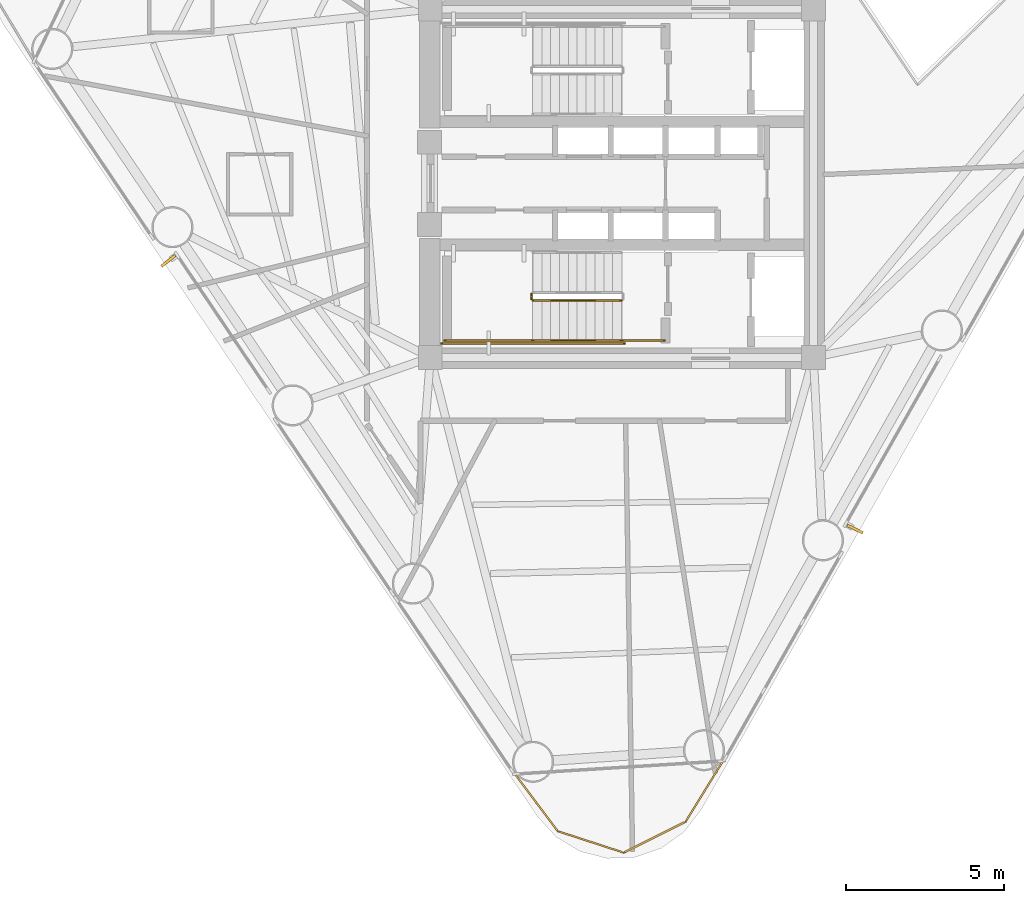
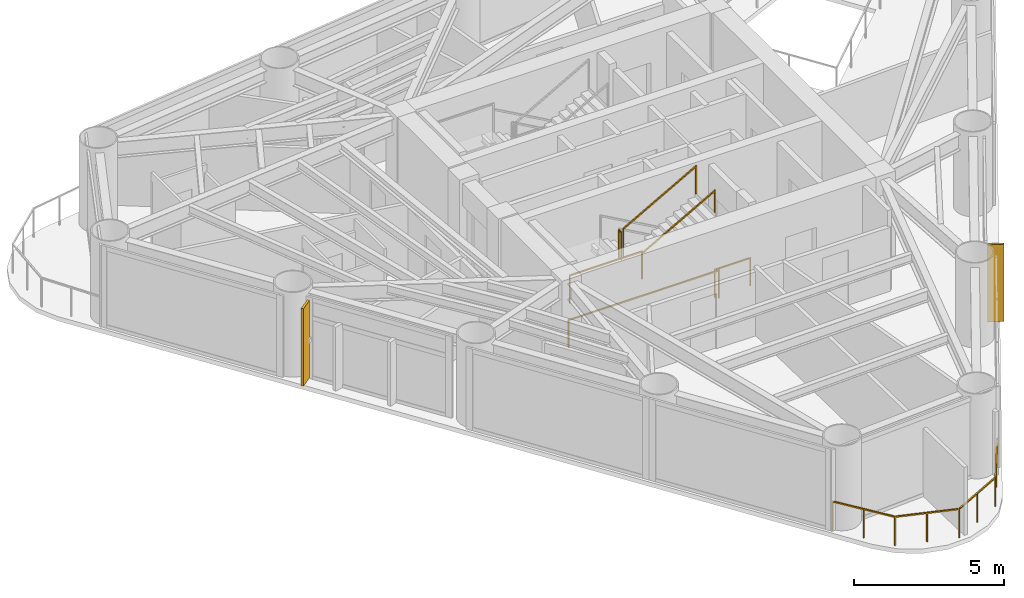
# One storey, part 7 of 9: 7 railings, 2 shading devices.
"""IFC4 building model written with IfcOpenShell, lengths in metres."""

from ifc_helpers import new_model, si_unit, direction, frame, origin, origin_2d, place, context, subcontext, project, spatial, rectangle, extrude, source, transform, mapped, material, material_profile, profile_set, type_object, element, save


model = new_model("IFC4")

# Units and contexts
model_context = context("Model", 3, precision=1e-05, world=origin(), true_north=direction((0.0, 1.0)))
body_context = subcontext(model_context, "Body", "Model", "MODEL_VIEW")
ifc_project = project(units=[si_unit("LENGTHUNIT", "METRE"), si_unit("AREAUNIT", "SQUARE_METRE"), si_unit("VOLUMEUNIT", "CUBIC_METRE"), si_unit("PLANEANGLEUNIT", "RADIAN"), si_unit("MASSUNIT", "GRAM", prefix="KILO")], contexts=[model_context])

# Site, building, storey
site_placement = place(None, origin())
site = spatial("IfcSite", under=ifc_project, at=site_placement, CompositionType="ELEMENT")
building_placement = place(site_placement, origin())
building = spatial("IfcBuilding", under=site, at=building_placement, Name="Yunling Apex Tower", CompositionType="ELEMENT")
storey_placement = place(building_placement, frame((0.0, 0.0, 165.64990234375)))
storey = spatial("IfcBuildingStorey", under=building, at=storey_placement, Name="L40", CompositionType="ELEMENT", Elevation=165.64990234375)

# Railings
ifc_material_1 = material(Name="Bronze anodised aluminium", Category="aluminium")
railing_type_1 = type_object("IfcRailingType", Name="RL-BAL-1200", PredefinedType="BALUSTRADE", material=ifc_material_1)
railing_1_placement = place(storey_placement, frame((3.195068359375, -18.248046875, 0.0)))
element("IfcRailing", 1, at=railing_1_placement, inside=storey, type_object=railing_type_1, Name="RL-CRNSILL-L40-3", PredefinedType="BALUSTRADE", context=body_context, shape_type="SweptSolid", body=[
    extrude(rectangle(XDim=0.0439453125, YDim=0.0439453125, at=origin_2d()), origin(), (0.0, 0.0, 1.0), 1.199951171875),
    extrude(rectangle(XDim=0.0439453125, YDim=0.0439453125, at=origin_2d()), frame((-1.182861328125, -1.91845703125, 0.0)), (0.0, 0.0, 1.0), 1.199951171875),
    extrude(rectangle(XDim=0.050048828125, YDim=0.050048828125, at=origin_2d()), frame((-0.02001953125, -0.03271484375, 1.1748046875), z_axis=(-0.524828533939, -0.851207971041, 0.0), x_axis=(0.851207971041, -0.524828533939, 0.0)), (0.0, 0.0, 1.0), 2.17724609375),
    extrude(rectangle(XDim=0.0439453125, YDim=0.0439453125, at=origin_2d()), frame((-0.59130859375, -0.959228515625, 0.0)), (0.0, 0.0, 1.0), 1.14599609375),
    extrude(rectangle(XDim=0.0439453125, YDim=0.0439453125, at=origin_2d()), frame((-3.1376953125, -2.895751953125, 0.0)), (0.0, 0.0, 1.0), 1.199951171875),
    extrude(rectangle(XDim=0.050048828125, YDim=0.050048828125, at=origin_2d()), frame((-1.217041015625, -1.935546875, 1.1748046875), z_axis=(-0.894449531573, -0.447168911563, 0.0), x_axis=(0.447168911563, -0.894449531573, 0.0)), (0.0, 0.0, 1.0), 2.10888671875),
    extrude(rectangle(XDim=0.0439453125, YDim=0.0439453125, at=origin_2d()), frame((-2.16015625, -2.4072265625, 0.0)), (0.0, 0.0, 1.0), 1.14599609375),
    extrude(rectangle(XDim=0.0439453125, YDim=0.0439453125, at=origin_2d()), frame((-5.22265625, -2.216552734375, 0.0)), (0.0, 0.0, 1.0), 1.199951171875),
    extrude(rectangle(XDim=0.050048828125, YDim=0.050048828125, at=origin_2d()), frame((-3.174072265625, -2.8837890625, 1.1748046875), z_axis=(-0.950821112954, 0.309740554595, 0.0), x_axis=(-0.309740554595, -0.950821112954, 0.0)), (0.0, 0.0, 1.0), 2.1162109375),
    extrude(rectangle(XDim=0.0439453125, YDim=0.0439453125, at=origin_2d()), frame((-4.18017578125, -2.55615234375, 0.0)), (0.0, 0.0, 1.0), 1.14599609375),
    extrude(rectangle(XDim=0.0439453125, YDim=0.0439453125, at=origin_2d()), frame((-6.572021484375, -0.412841796875, 0.0)), (0.0, 0.0, 1.0), 1.199951171875),
    extrude(rectangle(XDim=0.050048828125, YDim=0.050048828125, at=origin_2d()), frame((-5.24560546875, -2.185791015625, 1.1748046875), z_axis=(-0.599028453381, 0.800727739023, 0.0), x_axis=(-0.800727739023, -0.599028453381, 0.0)), (0.0, 0.0, 1.0), 2.176025390625),
    extrude(rectangle(XDim=0.0439453125, YDim=0.0439453125, at=origin_2d()), frame((-5.8974609375, -1.314697265625, 0.0)), (0.0, 0.0, 1.0), 1.14599609375),
])
ifc_material_2 = material(Name="Steel Q355B", Category="steel")
railing_type_2 = type_object("IfcRailingType", Name="RL-GRD-1150", PredefinedType="GUARDRAIL", material=ifc_material_2)
railing_2_placement = place(storey_placement, frame((-2.860107421875, -3.5, 1.72509765625)))
element("IfcRailing", 2, at=railing_2_placement, inside=storey, type_object=railing_type_2, Name="L40 ST-2 stair guard 2", PredefinedType="GUARDRAIL", context=body_context, shape_type="SweptSolid", body=[
    extrude(rectangle(XDim=0.0439453125, YDim=0.0439453125, at=origin_2d()), origin(), (0.0, 0.0, 1.0), 1.14990234375),
    extrude(rectangle(XDim=0.0439453125, YDim=0.0439453125, at=origin_2d()), frame((0.0, -0.14990234375, 0.0)), (0.0, 0.0, 1.0), 1.14990234375),
    extrude(rectangle(XDim=0.050048828125, YDim=0.050048828125, at=origin_2d()), frame((0.0, -0.038330078125, 1.125), z_axis=(0.0, -1.0, 0.0), x_axis=(1.0, 0.0, 0.0)), (0.0, 0.0, 1.0), 0.0732421875),
])
railing_3_placement = place(storey_placement, frame((-2.81005859375, -4.9599609375, 1.72509765625)))
element("IfcRailing", 3, at=railing_3_placement, inside=storey, type_object=railing_type_2, Name="L40 ST-2 stair guard 3", PredefinedType="GUARDRAIL", context=body_context, shape_type="SweptSolid", body=[
    extrude(rectangle(XDim=0.0439453125, YDim=0.0439453125, at=origin_2d()), origin(), (0.0, 0.0, 1.0), 1.14990234375),
    extrude(rectangle(XDim=0.0439453125, YDim=0.0439453125, at=origin_2d()), frame((-2.7900390625, 0.0, 0.0)), (0.0, 0.0, 1.0), 1.14990234375),
    extrude(rectangle(XDim=0.050048828125, YDim=0.050048828125, at=origin_2d()), frame((-0.038330078125, 0.0, 1.125), z_axis=(-1.0, 0.0, 0.0), x_axis=(0.0, -1.0, 0.0)), (0.0, 0.0, 1.0), 2.71337890625),
])
railing_4_placement = place(storey_placement, frame((-2.81005859375, -3.699951171875, 1.8818359375)))
element("IfcRailing", 4, at=railing_4_placement, inside=storey, type_object=railing_type_2, Name="L40 ST-2 stair guard 4", PredefinedType="GUARDRAIL", context=body_context, shape_type="SweptSolid", body=[
    extrude(rectangle(XDim=0.0439453125, YDim=0.0439453125, at=origin_2d()), origin(), (0.0, 0.0, 1.0), 1.14990234375),
    extrude(rectangle(XDim=0.0439453125, YDim=0.0439453125, at=origin_2d()), frame((2.800048828125, 0.0, 1.568359375)), (0.0, 0.0, 1.0), 1.14990234375),
    extrude(rectangle(XDim=0.050048828125, YDim=0.050048828125, at=origin_2d()), frame((0.033447265625, 0.0, 1.1435546875), z_axis=(0.872461907711, 0.0, 0.488682125306), x_axis=(0.0, 1.0, 0.0)), (0.0, 0.0, 1.0), 3.1328125),
])
railing_5_placement = place(storey_placement, frame((1.35009765625, -4.9599609375, 0.0)))
element("IfcRailing", 5, at=railing_5_placement, inside=storey, type_object=railing_type_2, Name="L40 ST-2 stair guard 6", PredefinedType="GUARDRAIL", context=body_context, shape_type="SweptSolid", body=[
    extrude(rectangle(XDim=0.0439453125, YDim=0.0439453125, at=origin_2d()), origin(), (0.0, 0.0, 1.0), 1.14990234375),
    extrude(rectangle(XDim=0.0439453125, YDim=0.0439453125, at=origin_2d()), frame((-1.360107421875, 0.0, 0.0)), (0.0, 0.0, 1.0), 1.14990234375),
    extrude(rectangle(XDim=0.050048828125, YDim=0.050048828125, at=origin_2d()), frame((-0.038330078125, 0.0, 1.125), z_axis=(-1.0, 0.0, 0.0), x_axis=(0.0, -1.0, 0.0)), (0.0, 0.0, 1.0), 1.283447265625),
])
railing_6_placement = place(storey_placement, frame((0.090087890625, -5.06005859375, 0.0)))
element("IfcRailing", 6, at=railing_6_placement, inside=storey, type_object=railing_type_2, Name="L40 ST-2 stair guard 7", PredefinedType="GUARDRAIL", context=body_context, shape_type="SweptSolid", body=[
    extrude(rectangle(XDim=0.0439453125, YDim=0.0439453125, at=origin_2d()), origin(), (0.0, 0.0, 1.0), 1.14990234375),
    extrude(rectangle(XDim=0.0439453125, YDim=0.0439453125, at=origin_2d()), frame((-5.7900390625, 0.0, 0.0)), (0.0, 0.0, 1.0), 1.14990234375),
    extrude(rectangle(XDim=0.050048828125, YDim=0.050048828125, at=origin_2d()), frame((-0.038330078125, 0.0, 1.125), z_axis=(-1.0, 0.0, 0.0), x_axis=(0.0, -1.0, 0.0)), (0.0, 0.0, 1.0), 5.71337890625),
])
ifc_material_3 = material(Name="Silver anodised aluminium", Category="aluminium")
railing_type_3 = type_object("IfcRailingType", Name="RL-HND-900", PredefinedType="HANDRAIL", material=ifc_material_3)
railing_7_placement = place(storey_placement, frame((-2.81005859375, -4.9599609375, 1.8818359375)))
element("IfcRailing", 7, at=railing_7_placement, inside=storey, type_object=railing_type_3, Name="L40 ST-2 stair handrail 2", PredefinedType="HANDRAIL", context=body_context, shape_type="SweptSolid", body=[
    extrude(rectangle(XDim=0.0439453125, YDim=0.0439453125, at=origin_2d()), origin(), (0.0, 0.0, 1.0), 0.919921875),
    extrude(rectangle(XDim=0.0439453125, YDim=0.0439453125, at=origin_2d()), frame((2.800048828125, 0.0, 1.568359375)), (0.0, 0.0, 1.0), 0.919921875),
    extrude(rectangle(XDim=0.050048828125, YDim=0.050048828125, at=origin_2d()), frame((0.033447265625, 0.0, 0.91357421875), z_axis=(0.872461907711, 0.0, 0.488682125306), x_axis=(0.0, 1.0, 0.0)), (0.0, 0.0, 1.0), 3.1328125),
])

# Shading devices
ifc_material_profile = material_profile(ifc_material_1, rectangle(XDim=0.0849609375, YDim=0.550048828125, at=origin_2d()))
ifc_profile_set = profile_set([ifc_material_profile], Name="Bronze anodised aluminium")
shading_device_type = type_object("IfcShadingDeviceType", Name="FN-BRZ-3", PredefinedType="USERDEFINED", material=ifc_profile_set)
shared_shape = source(origin(), body_context, "Body", "SweptSolid", [
    extrude(rectangle(XDim=0.0849609375, YDim=0.550048828125, at=origin_2d()), origin(), (0.0, 0.0, 1.0), 3.14990234375),
])
for number, where, z_axis, x_axis, name in (
    (8, (7.364501953125, -10.9208984375, 0.06005859375), (0.0, 0.0, 1.0), (0.435073957475, 0.900394719846, 0.0), "CW-L40-F1-B2-FIN-01"),
    (9, (-14.3291015625, -2.45068359375, 0.06005859375), (0.0, 0.0, 1.0), (0.612217280034, -0.790689573744, 0.0), "CW-L40-F3-B2-FIN-01"),
):
    element("IfcShadingDevice", number, at=place(storey_placement, frame(where, z_axis=z_axis, x_axis=x_axis)), inside=storey, type_object=shading_device_type, Name=name, ObjectType="FIN", PredefinedType="USERDEFINED", context=body_context, shape_type="MappedRepresentation", body=[
        mapped(shared_shape, transform((0.0, 0.0, 0.0), scale=1.0)),
    ])

save(model, "model.ifc")
